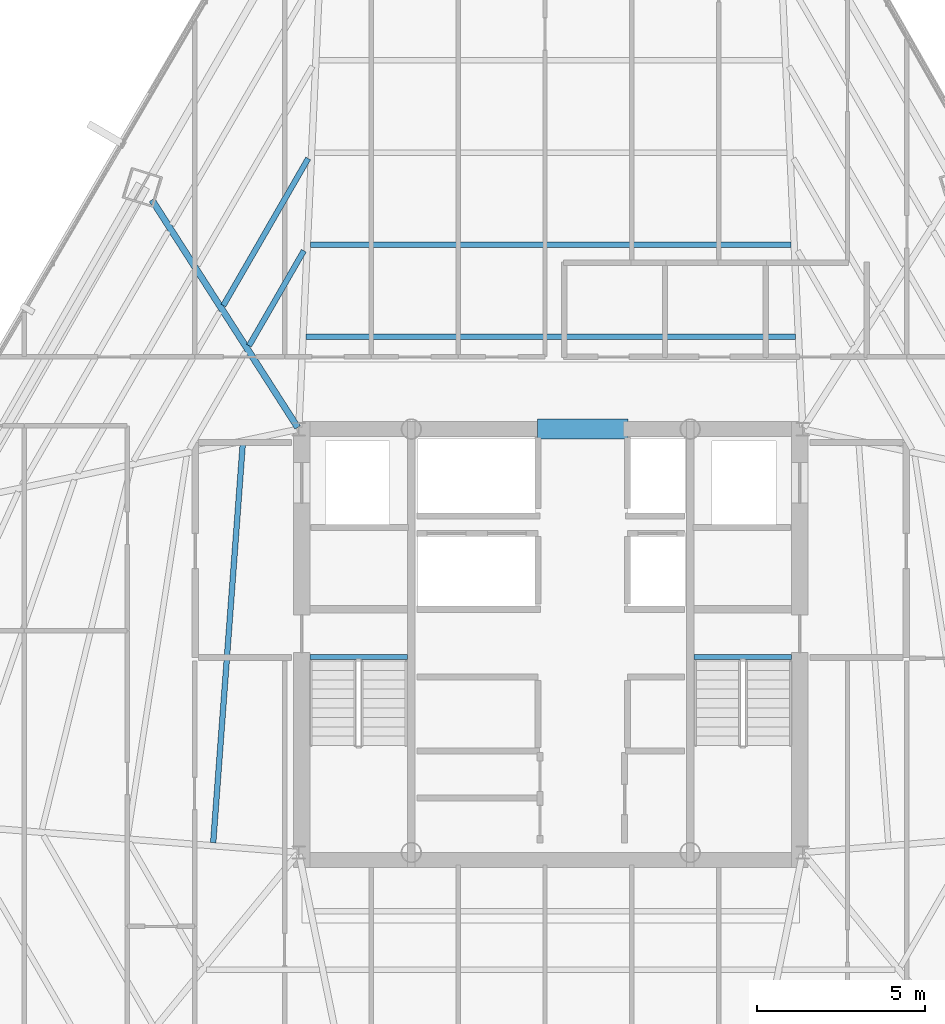
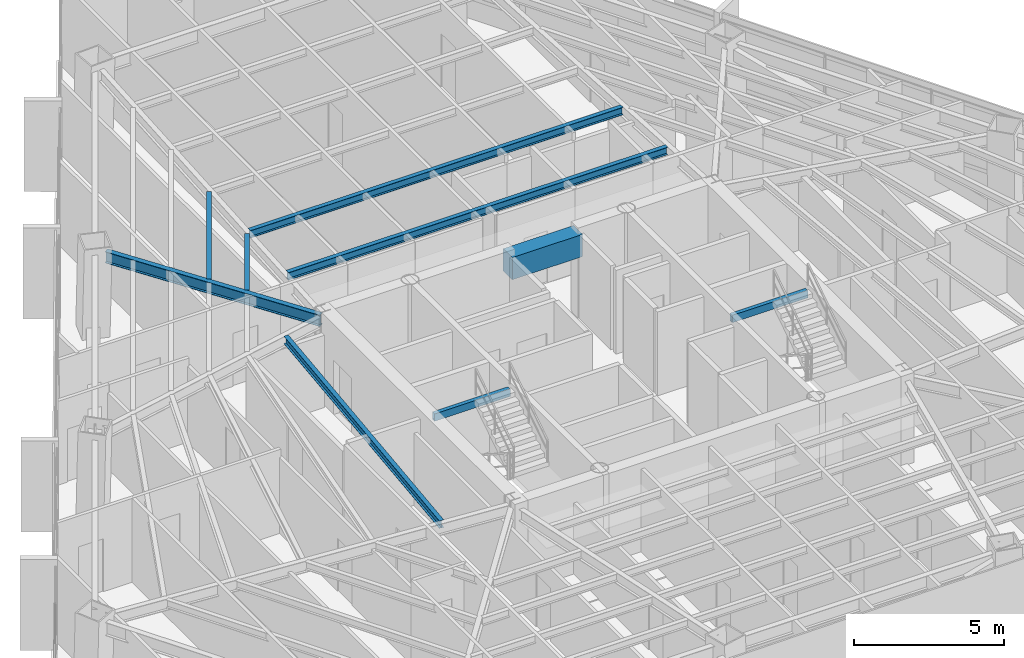
# One storey, part 16 of 42: 9 beams.
"""IFC4 building model written with IfcOpenShell, lengths in metres."""

import ifcopenshell
import ifcopenshell.guid

model = None  # the IFC model being written
_history = None  # IfcOwnerHistory: only IFC2X3 demands one
_inside = {}  # id of a spatial element -> (the spatial element, [elements in it])
_under = {}  # id of a project, library or spatial element -> (it, [spatial elements below it])
_declared = {}  # id of a project -> (the project, [libraries it declares])
_typed = {}  # id of a type object -> (the type object, [elements of that type])
_made_of = {}  # id of a material, layer set ... -> (it, [elements and type objects made of it])


def new_model(schema):
    """Start an empty IFC model of exactly this schema.

    Asked for "IFC4X3", IfcOpenShell would pick the latest addendum, in which some entities
    have other attributes; the version numbers below select the first issue.
    IFC2X3 requires an IfcOwnerHistory on every rooted entity: one is made here for all.
    """
    global model, _history
    if schema == "IFC4X3":
        model = ifcopenshell.file(schema_version=(4, 3, 0, 0))
    else:
        model = ifcopenshell.file(schema=schema)
    _inside.clear()
    _under.clear()
    _declared.clear()
    _typed.clear()
    _made_of.clear()
    _history = None
    if model.schema == "IFC2X3":
        org = make("IfcOrganization", Name="unknown")
        user = make(
            "IfcPersonAndOrganization",
            ThePerson=make("IfcPerson", FamilyName="unknown"),
            TheOrganization=org,
        )
        app = make(
            "IfcApplication",
            ApplicationDeveloper=org,
            Version="unknown",
            ApplicationFullName="unknown",
            ApplicationIdentifier="unknown",
        )
        _history = make(
            "IfcOwnerHistory",
            OwningUser=user,
            OwningApplication=app,
            ChangeAction="ADDED",
            CreationDate=0,
        )
    return model


def make(cls, **values):
    """One entity of the class cls with the attributes given. An attribute that is None is left unset."""
    return model.create_entity(
        cls, **{name: value for name, value in values.items() if value is not None}
    )


def rooted(cls, **values):
    """An entity with a GlobalId (a new one), such as an element, a storey or a relation."""
    return make(cls, GlobalId=ifcopenshell.guid.new(), OwnerHistory=_history, **values)


def si_unit(unit_type, name, prefix=None):
    """IfcSIUnit, for example si_unit("LENGTHUNIT", "METRE", prefix="MILLI")."""
    return make("IfcSIUnit", UnitType=unit_type, Prefix=prefix, Name=name)


def assignment(units):
    """IfcUnitAssignment: the units of a project."""
    return None if units is None else make("IfcUnitAssignment", Units=units)


def point(xyz):
    """IfcCartesianPoint."""
    return None if xyz is None else make("IfcCartesianPoint", Coordinates=xyz)


def direction(xyz):
    """IfcDirection."""
    return None if xyz is None else make("IfcDirection", DirectionRatios=xyz)


def frame(location, z_axis=None, x_axis=None):
    """IfcAxis2Placement3D, a coordinate frame: its origin and axes. An axis left out is left unset."""
    return make(
        "IfcAxis2Placement3D",
        Location=point(location),
        Axis=direction(z_axis),
        RefDirection=direction(x_axis),
    )


def frame_2d(location, x_axis=None):
    """IfcAxis2Placement2D, a coordinate frame in the plane: its origin and x axis."""
    return make(
        "IfcAxis2Placement2D", Location=point(location), RefDirection=direction(x_axis)
    )


def origin():
    """The frame at (0, 0, 0) with its axes left unset."""
    return frame((0.0, 0.0, 0.0))


def origin_2d():
    """The frame at (0, 0) in the plane with its x axis left unset."""
    return frame_2d((0.0, 0.0))


def place(relative_to, where):
    """IfcLocalPlacement: puts the frame where relative to a parent placement (None: the world)."""
    return make(
        "IfcLocalPlacement", PlacementRelTo=relative_to, RelativePlacement=where
    )


def context(
    kind, dimensions, precision=None, world=None, true_north=None, identifier=None
):
    """IfcGeometricRepresentationContext, for example the 3D "Model" context."""
    return make(
        "IfcGeometricRepresentationContext",
        ContextIdentifier=identifier,
        ContextType=kind,
        CoordinateSpaceDimension=dimensions,
        Precision=precision,
        WorldCoordinateSystem=world,
        TrueNorth=true_north,
    )


def subcontext(parent, identifier, kind, view, scale=None):
    """IfcGeometricRepresentationSubContext, for example "Body" below "Model"."""
    return make(
        "IfcGeometricRepresentationSubContext",
        ContextIdentifier=identifier,
        ContextType=kind,
        ParentContext=parent,
        TargetScale=scale,
        TargetView=view,
    )


def project(units=None, contexts=None):
    """IfcProject with its units and contexts."""
    return rooted(
        "IfcProject",
        Name="project",
        RepresentationContexts=contexts,
        UnitsInContext=assignment(units),
    )


def spatial(cls, under=None, at=None, **own):
    """A site, building, storey or space (cls), placed at a placement, below another one or the project."""
    s = rooted(cls, ObjectPlacement=at, **own)
    if under is not None:
        _under.setdefault(under.id(), (under, []))[1].append(s)
    return s


def profile(cls, at=None, kind="AREA", **sizes):
    """A parametric profile (cls). Its sizes go by their IFC names, for example OverallWidth=200.0."""
    return make(cls, ProfileType=kind, Position=at, **sizes)


def rectangle(**sizes):
    """IfcRectangleProfileDef."""
    return profile("IfcRectangleProfileDef", **sizes)


def hollow_rectangle(**sizes):
    """IfcRectangleHollowProfileDef."""
    return profile("IfcRectangleHollowProfileDef", **sizes)


def i_section(**sizes):
    """IfcIShapeProfileDef."""
    return profile("IfcIShapeProfileDef", **sizes)


def extrude(swept, where, along, depth):
    """IfcExtrudedAreaSolid: the profile swept, set in the frame where, extruded along a direction by depth."""
    return make(
        "IfcExtrudedAreaSolid",
        SweptArea=swept,
        Position=where,
        ExtrudedDirection=direction(along),
        Depth=depth,
    )


def shape(context_of_items, identifier, shape_type, items):
    """IfcShapeRepresentation: the items that make up one representation, for example the "Body"."""
    return make(
        "IfcShapeRepresentation",
        ContextOfItems=context_of_items,
        RepresentationIdentifier=identifier,
        RepresentationType=shape_type,
        Items=items,
    )


def source(mapping_origin, context_of_items, identifier, shape_type, items):
    """IfcRepresentationMap: a shape defined once, which mapped items show again and again."""
    return make(
        "IfcRepresentationMap",
        MappingOrigin=mapping_origin,
        MappedRepresentation=shape(context_of_items, identifier, shape_type, items),
    )


def transform(
    local_origin,
    x_axis=None,
    y_axis=None,
    z_axis=None,
    scale=None,
    scale2=None,
    scale3=None,
    uniform=True,
):
    """IfcCartesianTransformationOperator3D, or its non-uniform kind. x_axis, y_axis, z_axis: its Axis1, 2, 3."""
    if uniform:
        return make(
            "IfcCartesianTransformationOperator3D",
            Axis1=direction(x_axis),
            Axis2=direction(y_axis),
            LocalOrigin=point(local_origin),
            Scale=scale,
            Axis3=direction(z_axis),
        )
    return make(
        "IfcCartesianTransformationOperator3DnonUniform",
        Axis1=direction(x_axis),
        Axis2=direction(y_axis),
        LocalOrigin=point(local_origin),
        Scale=scale,
        Axis3=direction(z_axis),
        Scale2=scale2,
        Scale3=scale3,
    )


def mapped(mapping_source, mapping_target):
    """IfcMappedItem: shows the shape of a source again, moved by a transform."""
    return make(
        "IfcMappedItem", MappingSource=mapping_source, MappingTarget=mapping_target
    )


def material(Name=None, Category=None):
    """IfcMaterial."""
    return make("IfcMaterial", Name=Name, Category=Category)


def material_profile(
    of_material, cross_section, Name=None, Category=None, Priority=None
):
    """IfcMaterialProfile: a cross section and its material."""
    return make(
        "IfcMaterialProfile",
        Name=Name,
        Material=of_material,
        Profile=cross_section,
        Priority=Priority,
        Category=Category,
    )


def profile_set(profiles, Name=None, composite=None):
    """IfcMaterialProfileSet."""
    return make(
        "IfcMaterialProfileSet",
        Name=Name,
        MaterialProfiles=profiles,
        CompositeProfile=composite,
    )


def made_of(thing, what):
    """Note that an element or type object is made of a material, layer set ...; save() writes the relation."""
    if what is not None:
        _made_of.setdefault(what.id(), (what, []))[1].append(thing)
    return thing


def type_object(cls, material=None, **own):
    """A type object (cls), such as IfcWallType, which elements share."""
    return made_of(rooted(cls, **own), material)


def type_shapes(of_type, sources):
    """Give a type object the sources (RepresentationMaps) that its elements show as mapped items."""
    of_type.RepresentationMaps = sources


def element(
    cls,
    number,
    at=None,
    inside=None,
    cuts=None,
    type_object=None,
    material=None,
    context=None,
    identifier="Body",
    shape_type=None,
    held_by="IfcProductDefinitionShape",
    body=None,
    shapes=None,
    **own,
):
    """One element of the class cls, such as IfcWall. Its Tag is "e" and its number.

    at: its placement. inside: the storey or other place that contains it. cuts: it is an
    opening in that element (IfcRelVoidsElement). A single representation is given by context,
    identifier, shape_type and body (its items); several are given by shapes. held_by: the class
    of the entity that holds the representations. save() writes the other relations.
    """
    e = rooted(cls, Tag="e%d" % number, ObjectPlacement=at, **own)
    if body is not None:
        shapes = [shape(context, identifier, shape_type, body)]
    if shapes is not None:
        e.Representation = make(held_by, Representations=shapes)
    if inside is not None:
        _inside.setdefault(inside.id(), (inside, []))[1].append(e)
    if cuts is not None:
        rooted(
            "IfcRelVoidsElement", RelatingBuildingElement=cuts, RelatedOpeningElement=e
        )
    if type_object is not None:
        _typed.setdefault(type_object.id(), (type_object, []))[1].append(e)
    return made_of(e, material)


def aggregate(whole, parts):
    """IfcRelAggregates: a whole, such as a stair, and the parts it consists of."""
    return rooted("IfcRelAggregates", RelatingObject=whole, RelatedObjects=parts)


def save(model, path):
    """Write the relations noted so far, then the file.

    IfcRelAggregates (storeys below a building ...), IfcRelContainedInSpatialStructure (elements
    in a storey), IfcRelDefinesByType, IfcRelAssociatesMaterial and IfcRelDeclares: one each for
    every whole, place, type object, material and project.
    """
    for whole, parts in _under.values():
        aggregate(whole, parts)
    for where, things in _inside.values():
        rooted(
            "IfcRelContainedInSpatialStructure",
            RelatedElements=things,
            RelatingStructure=where,
        )
    for kind, things in _typed.values():
        rooted("IfcRelDefinesByType", RelatedObjects=things, RelatingType=kind)
    for what, things in _made_of.values():
        rooted("IfcRelAssociatesMaterial", RelatedObjects=things, RelatingMaterial=what)
    for by, libraries in _declared.values():
        rooted("IfcRelDeclares", RelatingContext=by, RelatedDefinitions=libraries)
    model.write(path)


model = new_model("IFC4")

# Units and contexts
model_context = context("Model", 3, precision=1e-05, world=origin(), true_north=direction((0.0, 1.0)))
body_context = subcontext(model_context, "Body", "Model", "MODEL_VIEW")
ifc_project = project(units=[si_unit("LENGTHUNIT", "METRE"), si_unit("AREAUNIT", "SQUARE_METRE"), si_unit("VOLUMEUNIT", "CUBIC_METRE"), si_unit("PLANEANGLEUNIT", "RADIAN"), si_unit("MASSUNIT", "GRAM", prefix="KILO")], contexts=[model_context])

# Site, building, storey
site_placement = place(None, origin())
site = spatial("IfcSite", under=ifc_project, at=site_placement, CompositionType="ELEMENT")
building_placement = place(site_placement, origin())
building = spatial("IfcBuilding", under=site, at=building_placement, Name="Caelisora Broadcast Tower", CompositionType="ELEMENT")
storey_placement = place(building_placement, frame((0.0, 0.0, 131.800048828125)))
storey = spatial("IfcBuildingStorey", under=building, at=storey_placement, Name="L34", CompositionType="ELEMENT", Elevation=131.800048828125)

# Beams
ifc_material_1 = material(Name="Steel Grade 350 (AS/NZS 1163 C350L0)", Category="steel")
ifc_material_profile_1 = material_profile(ifc_material_1, hollow_rectangle(XDim=0.14990234375, YDim=0.300048828125, WallThickness=0.010009765625, at=origin_2d()), Name="Steel Grade 350 (AS/NZS 1163 C350L0)")
ifc_profile_set_1 = profile_set([ifc_material_profile_1], Name="Steel Grade 350 (AS/NZS 1163 C350L0)")
beam_type_1 = type_object("IfcBeamType", Name="SB05", PredefinedType="JOIST", material=ifc_profile_set_1)
shared_shape_1 = source(origin(), body_context, "Body", "SweptSolid", [
    extrude(hollow_rectangle(XDim=0.14990234375, YDim=0.300048828125, WallThickness=0.010009765625, at=origin_2d()), origin(), (0.0, 0.0, 1.0), 2.89990234375),
])
type_shapes(beam_type_1, [shared_shape_1])
for number, where, z_axis, x_axis, name in (
    (1, (30.840087890625, 23.219970703125, 3.25), (1.0, 0.0, 0.0), (0.0, 1.0, 0.0), "L34 beam SB05"),
    (2, (42.260009765625, 23.219970703125, 3.25), (1.0, 0.0, 0.0), (0.0, 1.0, 0.0), "L34 beam SB05"),
):
    element("IfcBeam", number, at=place(storey_placement, frame(where, z_axis=z_axis, x_axis=x_axis)), inside=storey, type_object=beam_type_1, Name=name, PredefinedType="JOIST", context=body_context, shape_type="MappedRepresentation", body=[
        mapped(shared_shape_1, transform((0.0, 0.0, 0.0), scale=1.0)),
    ])
ifc_material_2 = material(Name="Concrete 50 MPa (AS 3600 S50)", Category="concrete")
ifc_material_profile_2 = material_profile(ifc_material_2, rectangle(XDim=0.60009765625, YDim=0.89990234375, at=origin_2d()), Name="Concrete 50 MPa (AS 3600 S50)")
ifc_profile_set_2 = profile_set([ifc_material_profile_2], Name="Concrete 50 MPa (AS 3600 S50)")
beam_type_2 = type_object("IfcBeamType", Name="CB02", PredefinedType="LINTEL", material=ifc_profile_set_2)
shared_shape_2 = source(origin(), body_context, "Body", "SweptSolid", [
    extrude(rectangle(XDim=0.60009765625, YDim=0.89990234375, at=origin_2d()), origin(), (0.0, 0.0, 1.0), 2.699951171875),
])
type_shapes(beam_type_2, [shared_shape_2])
beam_1_placement = place(storey_placement, frame((37.60009765625, 30.0, 2.949951171875), z_axis=(1.0, 0.0, 0.0), x_axis=(0.0, 1.0, 0.0)))
element("IfcBeam", 3, at=beam_1_placement, inside=storey, type_object=beam_type_2, Name="L34 beam CB02", PredefinedType="LINTEL", context=body_context, shape_type="MappedRepresentation", body=[
    mapped(shared_shape_2, transform((0.0, 0.0, 0.0), scale=1.0)),
])
ifc_material_3 = material(Name="Steel Grade 350 (AS/NZS 3679.1)", Category="steel")
ifc_material_profile_3 = material_profile(ifc_material_3, i_section(OverallWidth=0.19091796875, OverallDepth=0.46044921875, WebThickness=0.010009765625, FlangeThickness=0.01611328125, at=origin_2d()), Name="Steel Grade 350 (AS/NZS 3679.1)")
ifc_profile_set_3 = profile_set([ifc_material_profile_3], Name="Steel Grade 350 (AS/NZS 3679.1)")
beam_type_3 = type_object("IfcBeamType", Name="PG06", PredefinedType="BEAM", material=ifc_profile_set_3)
shared_shape_3 = source(origin(), body_context, "Body", "SweptSolid", [
    extrude(i_section(OverallWidth=0.19091796875, OverallDepth=0.46044921875, WebThickness=0.010009765625, FlangeThickness=0.01611328125, at=origin_2d()), origin(), (0.0, 0.0, 1.0), 8.041259765625),
])
type_shapes(beam_type_3, [shared_shape_3])
beam_2_placement = place(storey_placement, frame((30.467529296875, 30.050537109375, 3.169677734375), z_axis=(-0.539424972566, 0.84203366855, 0.0), x_axis=(-0.84203366855, -0.539424972566, 0.0)))
element("IfcBeam", 4, at=beam_2_placement, inside=storey, type_object=beam_type_3, Name="L34 beam PG06", PredefinedType="BEAM", context=body_context, shape_type="MappedRepresentation", body=[
    mapped(shared_shape_3, transform((0.0, 0.0, 0.0), scale=1.0)),
])
ifc_material_profile_4 = material_profile(ifc_material_3, i_section(OverallWidth=0.166015625, OverallDepth=0.30712890625, WebThickness=0.006591796875, FlangeThickness=0.01171875, at=origin_2d()), Name="Steel Grade 350 (AS/NZS 3679.1)")
ifc_profile_set_4 = profile_set([ifc_material_profile_4], Name="Steel Grade 350 (AS/NZS 3679.1)")
beam_type_4 = type_object("IfcBeamType", Name="SB03", PredefinedType="JOIST", material=ifc_profile_set_4)
shared_shape_4 = source(origin(), body_context, "Body", "SweptSolid", [
    extrude(i_section(OverallWidth=0.166015625, OverallDepth=0.30712890625, WebThickness=0.006591796875, FlangeThickness=0.01171875, at=origin_2d()), origin(), (0.0, 0.0, 1.0), 14.5595703125),
])
beam_3_placement = place(storey_placement, frame((45.27978515625, 32.74365234375, 3.246337890625), z_axis=(-1.0, 0.0, 0.0), x_axis=(0.0, -1.0, 0.0)))
element("IfcBeam", 5, at=beam_3_placement, inside=storey, type_object=beam_type_4, Name="L34 beam SB03", PredefinedType="JOIST", context=body_context, shape_type="MappedRepresentation", body=[
    mapped(shared_shape_4, transform((0.0, 0.0, 0.0), scale=1.0)),
])
shared_shape_5 = source(origin(), body_context, "Body", "SweptSolid", [
    extrude(i_section(OverallWidth=0.166015625, OverallDepth=0.30712890625, WebThickness=0.006591796875, FlangeThickness=0.01171875, at=origin_2d()), origin(), (0.0, 0.0, 1.0), 14.30517578125),
])
beam_4_placement = place(storey_placement, frame((45.152587890625, 35.4873046875, 3.246337890625), z_axis=(-1.0, 0.0, 0.0), x_axis=(0.0, -1.0, 0.0)))
element("IfcBeam", 6, at=beam_4_placement, inside=storey, type_object=beam_type_4, Name="L34 beam SB03", PredefinedType="JOIST", context=body_context, shape_type="MappedRepresentation", body=[
    mapped(shared_shape_5, transform((0.0, 0.0, 0.0), scale=1.0)),
])
shared_shape_6 = source(origin(), body_context, "Body", "SweptSolid", [
    extrude(i_section(OverallWidth=0.166015625, OverallDepth=0.30712890625, WebThickness=0.006591796875, FlangeThickness=0.01171875, at=origin_2d()), origin(), (0.0, 0.0, 1.0), 3.26513671875),
])
beam_5_placement = place(storey_placement, frame((30.652587890625, 35.309814453125, 3.246337890625), z_axis=(-0.500007244493, -0.866021221134, 0.0), x_axis=(0.866021221134, -0.500007244493, 0.0)))
element("IfcBeam", 7, at=beam_5_placement, inside=storey, type_object=beam_type_4, Name="L34 beam SB03", PredefinedType="JOIST", context=body_context, shape_type="MappedRepresentation", body=[
    mapped(shared_shape_6, transform((0.0, 0.0, 0.0), scale=1.0)),
])
shared_shape_7 = source(origin(), body_context, "Body", "SweptSolid", [
    extrude(i_section(OverallWidth=0.166015625, OverallDepth=0.30712890625, WebThickness=0.006591796875, FlangeThickness=0.01171875, at=origin_2d()), origin(), (0.0, 0.0, 1.0), 5.05224609375),
])
beam_6_placement = place(storey_placement, frame((30.780029296875, 38.053466796875, 3.246337890625), z_axis=(-0.499990159468, -0.866031085144, 0.0), x_axis=(0.866031085144, -0.499990159468, 0.0)))
element("IfcBeam", 8, at=beam_6_placement, inside=storey, type_object=beam_type_4, Name="L34 beam SB03", PredefinedType="JOIST", context=body_context, shape_type="MappedRepresentation", body=[
    mapped(shared_shape_7, transform((0.0, 0.0, 0.0), scale=1.0)),
])
shared_shape_8 = source(origin(), body_context, "Body", "SweptSolid", [
    extrude(i_section(OverallWidth=0.166015625, OverallDepth=0.30712890625, WebThickness=0.006591796875, FlangeThickness=0.01171875, at=origin_2d()), origin(), (0.0, 0.0, 1.0), 11.891845703125),
])
type_shapes(beam_type_4, [shared_shape_4, shared_shape_5, shared_shape_6, shared_shape_7, shared_shape_8])
beam_7_placement = place(storey_placement, frame((28.8330078125, 29.552001953125, 3.246337890625), z_axis=(-0.073948819587, -0.997262037822, 0.0), x_axis=(0.997262037822, -0.073948819587, 0.0)))
element("IfcBeam", 9, at=beam_7_placement, inside=storey, type_object=beam_type_4, Name="L34 beam SB03", PredefinedType="JOIST", context=body_context, shape_type="MappedRepresentation", body=[
    mapped(shared_shape_8, transform((0.0, 0.0, 0.0), scale=1.0)),
])

save(model, "model.ifc")
